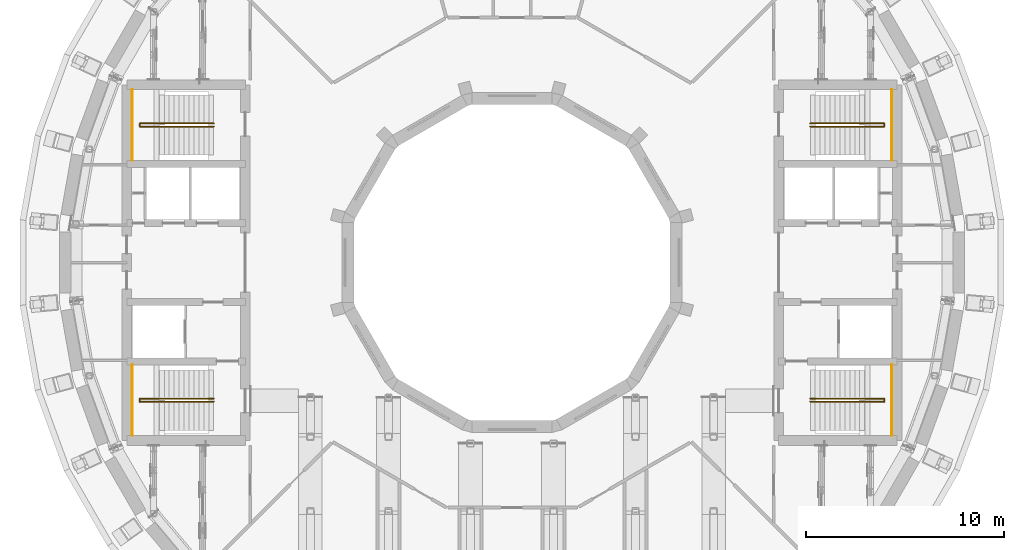
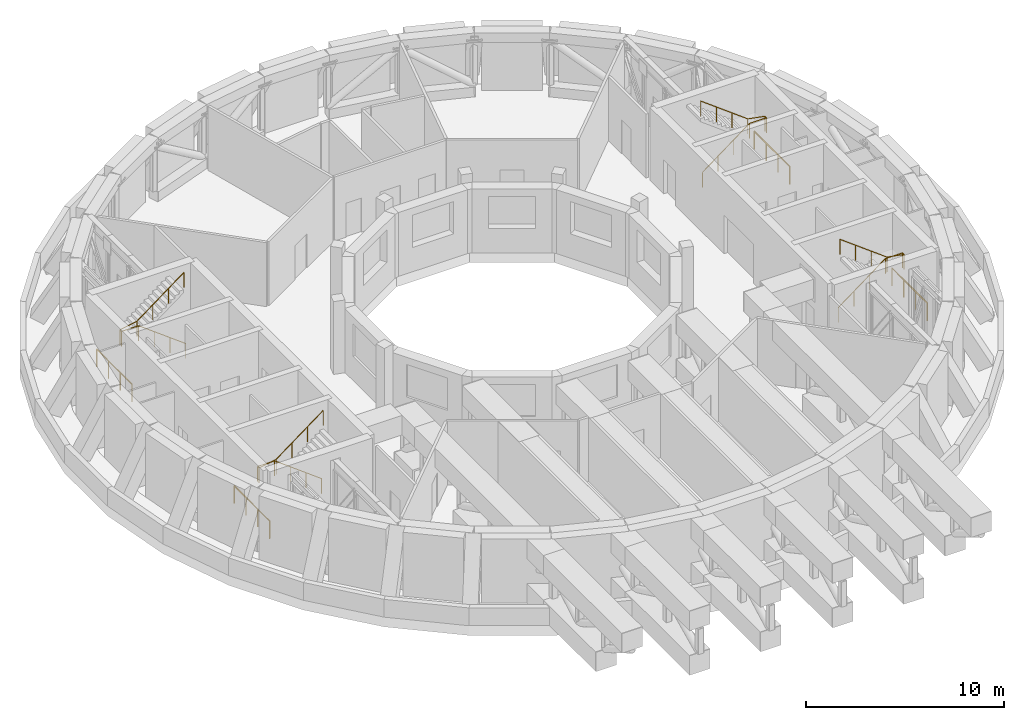
# One storey, part 20 of 20: 8 railings.
"""IFC4 building model written with IfcOpenShell, lengths in metres."""

from ifc_helpers import new_model, si_unit, direction, frame, origin, origin_2d, place, context, subcontext, project, spatial, circle, extrude, material, type_object, element, save


model = new_model("IFC4")

# Units and contexts
model_context = context("Model", 3, precision=1e-05, world=origin(), true_north=direction((0.0, 1.0)))
body_context = subcontext(model_context, "Body", "Model", "MODEL_VIEW")
ifc_project = project(units=[si_unit("LENGTHUNIT", "METRE"), si_unit("AREAUNIT", "SQUARE_METRE"), si_unit("VOLUMEUNIT", "CUBIC_METRE"), si_unit("PLANEANGLEUNIT", "RADIAN"), si_unit("MASSUNIT", "GRAM", prefix="KILO")], contexts=[model_context])

# Site, building, storey
site_placement = place(None, origin())
site = spatial("IfcSite", under=ifc_project, at=site_placement, CompositionType="ELEMENT")
building_placement = place(site_placement, origin())
building = spatial("IfcBuilding", under=site, at=building_placement, Name="Saqina Gate Tower", CompositionType="ELEMENT")
storey_placement = place(building_placement, frame((0.0, 0.0, 220.199951171875)))
storey = spatial("IfcBuildingStorey", under=building, at=storey_placement, Name="L63", CompositionType="ELEMENT", Elevation=220.199951171875)

# Railings
ifc_material_1 = material(Name="Stainless steel", Category="steel")
railing_type_1 = type_object("IfcRailingType", Name="STAIR GUARD", PredefinedType="GUARDRAIL", material=ifc_material_1)
railing_1_placement = place(storey_placement, frame((19.219970703125, 5.175048828125, 0.0)))
element("IfcRailing", 1, at=railing_1_placement, inside=storey, type_object=railing_type_1, Name="STAIR GUARD", PredefinedType="GUARDRAIL", context=body_context, shape_type="SweptSolid", body=[
    extrude(circle(Radius=0.02392578125, at=origin_2d()), frame((0.0, 0.0, 1.076171875), z_axis=(0.0, 1.0, 0.0), x_axis=(-1.0, 0.0, 0.0)), (0.0, 0.0, 1.0), 3.574951171875),
    extrude(circle(Radius=0.02099609375, at=origin_2d()), origin(), (0.0, 0.0, 1.0), 1.052001953125),
    extrude(circle(Radius=0.02099609375, at=origin_2d()), frame((0.0, 1.191650390625, 0.0)), (0.0, 0.0, 1.0), 1.052001953125),
    extrude(circle(Radius=0.02099609375, at=origin_2d()), frame((0.0, 2.38330078125, 0.0)), (0.0, 0.0, 1.0), 1.052001953125),
    extrude(circle(Radius=0.02099609375, at=origin_2d()), frame((0.0, 3.574951171875, 0.0)), (0.0, 0.0, 1.0), 1.052001953125),
])
railing_2_placement = place(storey_placement, frame((19.219970703125, -5.175048828125, 0.0)))
element("IfcRailing", 2, at=railing_2_placement, inside=storey, type_object=railing_type_1, Name="STAIR GUARD", PredefinedType="GUARDRAIL", context=body_context, shape_type="SweptSolid", body=[
    extrude(circle(Radius=0.02392578125, at=origin_2d()), frame((0.0, 0.0, 1.076171875), z_axis=(0.0, -1.0, 0.0), x_axis=(1.0, 0.0, 0.0)), (0.0, 0.0, 1.0), 3.574951171875),
    extrude(circle(Radius=0.02099609375, at=origin_2d()), origin(), (0.0, 0.0, 1.0), 1.052001953125),
    extrude(circle(Radius=0.02099609375, at=origin_2d()), frame((0.0, -1.191650390625, 0.0)), (0.0, 0.0, 1.0), 1.052001953125),
    extrude(circle(Radius=0.02099609375, at=origin_2d()), frame((0.0, -2.38330078125, 0.0)), (0.0, 0.0, 1.0), 1.052001953125),
    extrude(circle(Radius=0.02099609375, at=origin_2d()), frame((0.0, -3.574951171875, 0.0)), (0.0, 0.0, 1.0), 1.052001953125),
])
railing_3_placement = place(storey_placement, frame((-19.219970703125, 5.175048828125, 0.0)))
element("IfcRailing", 3, at=railing_3_placement, inside=storey, type_object=railing_type_1, Name="STAIR GUARD", PredefinedType="GUARDRAIL", context=body_context, shape_type="SweptSolid", body=[
    extrude(circle(Radius=0.02392578125, at=origin_2d()), frame((0.0, 0.0, 1.076171875), z_axis=(0.0, 1.0, 0.0), x_axis=(-1.0, 0.0, 0.0)), (0.0, 0.0, 1.0), 3.574951171875),
    extrude(circle(Radius=0.02099609375, at=origin_2d()), origin(), (0.0, 0.0, 1.0), 1.052001953125),
    extrude(circle(Radius=0.02099609375, at=origin_2d()), frame((0.0, 1.191650390625, 0.0)), (0.0, 0.0, 1.0), 1.052001953125),
    extrude(circle(Radius=0.02099609375, at=origin_2d()), frame((0.0, 2.38330078125, 0.0)), (0.0, 0.0, 1.0), 1.052001953125),
    extrude(circle(Radius=0.02099609375, at=origin_2d()), frame((0.0, 3.574951171875, 0.0)), (0.0, 0.0, 1.0), 1.052001953125),
])
railing_4_placement = place(storey_placement, frame((-19.219970703125, -5.175048828125, 0.0)))
element("IfcRailing", 4, at=railing_4_placement, inside=storey, type_object=railing_type_1, Name="STAIR GUARD", PredefinedType="GUARDRAIL", context=body_context, shape_type="SweptSolid", body=[
    extrude(circle(Radius=0.02392578125, at=origin_2d()), frame((0.0, 0.0, 1.076171875), z_axis=(0.0, -1.0, 0.0), x_axis=(1.0, 0.0, 0.0)), (0.0, 0.0, 1.0), 3.574951171875),
    extrude(circle(Radius=0.02099609375, at=origin_2d()), origin(), (0.0, 0.0, 1.0), 1.052001953125),
    extrude(circle(Radius=0.02099609375, at=origin_2d()), frame((0.0, -1.191650390625, 0.0)), (0.0, 0.0, 1.0), 1.052001953125),
    extrude(circle(Radius=0.02099609375, at=origin_2d()), frame((0.0, -2.38330078125, 0.0)), (0.0, 0.0, 1.0), 1.052001953125),
    extrude(circle(Radius=0.02099609375, at=origin_2d()), frame((0.0, -3.574951171875, 0.0)), (0.0, 0.0, 1.0), 1.052001953125),
])
ifc_material_2 = material(Name="Stainless steel", Category="steel")
railing_type_2 = type_object("IfcRailingType", Name="STAIR HANDRAIL", PredefinedType="HANDRAIL", material=ifc_material_2)
railing_5_placement = place(storey_placement, frame((15.10009765625, 6.88330078125, 0.1875)))
element("IfcRailing", 5, at=railing_5_placement, inside=storey, type_object=railing_type_2, Name="EXIT STAIR 1 HANDRAIL", PredefinedType="HANDRAIL", context=body_context, shape_type="SweptSolid", body=[
    extrude(circle(Radius=0.02392578125, at=origin_2d()), frame((0.0, 0.0, 0.92578125), z_axis=(0.8, 0.0, 0.6), x_axis=(0.0, 1.0, 0.0)), (0.0, 0.0, 1.0), 3.4375),
    extrude(circle(Radius=0.02392578125, at=origin_2d()), frame((2.75, 0.0, 2.98828125), z_axis=(1.0, 0.0, 0.0), x_axis=(0.0, 1.0, 0.0)), (0.0, 0.0, 1.0), 1.0),
    extrude(circle(Radius=0.02392578125, at=origin_2d()), frame((3.75, 0.0, 2.98828125), z_axis=(0.0, 1.0, 0.0), x_axis=(-1.0, 0.0, 0.0)), (0.0, 0.0, 1.0), 0.158447265625),
    extrude(circle(Radius=0.02392578125, at=origin_2d()), frame((3.75, 0.158447265625, 2.98828125), z_axis=(-0.982872186934, 0.0, 0.18428853505), x_axis=(0.0, -1.0, 0.0)), (0.0, 0.0, 1.0), 1.017333984375),
    extrude(circle(Radius=0.02392578125, at=origin_2d()), frame((2.75, 0.158447265625, 3.17578125), z_axis=(-0.8, 0.0, 0.6), x_axis=(0.0, -1.0, 0.0)), (0.0, 0.0, 1.0), 3.4375),
    extrude(circle(Radius=0.02099609375, at=origin_2d()), origin(), (0.0, 0.0, 1.0), 0.90185546875),
    extrude(circle(Radius=0.02099609375, at=origin_2d()), frame((0.916748046875, 0.0, 0.6875)), (0.0, 0.0, 1.0), 0.90185546875),
    extrude(circle(Radius=0.02099609375, at=origin_2d()), frame((1.833251953125, 0.0, 1.375)), (0.0, 0.0, 1.0), 0.90185546875),
    extrude(circle(Radius=0.02099609375, at=origin_2d()), frame((2.75, 0.0, 2.0625)), (0.0, 0.0, 1.0), 0.90185546875),
    extrude(circle(Radius=0.02099609375, at=origin_2d()), frame((3.75, 0.0, 2.0625)), (0.0, 0.0, 1.0), 0.90185546875),
    extrude(circle(Radius=0.02099609375, at=origin_2d()), frame((3.75, 0.158447265625, 2.0625)), (0.0, 0.0, 1.0), 0.90185546875),
    extrude(circle(Radius=0.02099609375, at=origin_2d()), frame((2.75, 0.158447265625, 2.25)), (0.0, 0.0, 1.0), 0.90185546875),
    extrude(circle(Radius=0.02099609375, at=origin_2d()), frame((1.833251953125, 0.158447265625, 2.9375)), (0.0, 0.0, 1.0), 0.90185546875),
    extrude(circle(Radius=0.02099609375, at=origin_2d()), frame((0.916748046875, 0.158447265625, 3.625)), (0.0, 0.0, 1.0), 0.90185546875),
    extrude(circle(Radius=0.02099609375, at=origin_2d()), frame((0.0, 0.158447265625, 4.3125)), (0.0, 0.0, 1.0), 0.90185546875),
])
railing_6_placement = place(storey_placement, frame((15.10009765625, -6.88330078125, 0.1875)))
element("IfcRailing", 6, at=railing_6_placement, inside=storey, type_object=railing_type_2, Name="EXIT STAIR 2 HANDRAIL", PredefinedType="HANDRAIL", context=body_context, shape_type="SweptSolid", body=[
    extrude(circle(Radius=0.02392578125, at=origin_2d()), frame((0.0, 0.0, 0.92578125), z_axis=(0.8, 0.0, 0.6), x_axis=(0.0, 1.0, 0.0)), (0.0, 0.0, 1.0), 3.4375),
    extrude(circle(Radius=0.02392578125, at=origin_2d()), frame((2.75, 0.0, 2.98828125), z_axis=(1.0, 0.0, 0.0), x_axis=(0.0, 1.0, 0.0)), (0.0, 0.0, 1.0), 1.0),
    extrude(circle(Radius=0.02392578125, at=origin_2d()), frame((3.75, 0.0, 2.98828125), z_axis=(0.0, -1.0, 0.0), x_axis=(1.0, 0.0, 0.0)), (0.0, 0.0, 1.0), 0.158447265625),
    extrude(circle(Radius=0.02392578125, at=origin_2d()), frame((3.75, -0.158447265625, 2.98828125), z_axis=(-0.982872186934, 0.0, 0.18428853505), x_axis=(0.0, -1.0, 0.0)), (0.0, 0.0, 1.0), 1.017333984375),
    extrude(circle(Radius=0.02392578125, at=origin_2d()), frame((2.75, -0.158447265625, 3.17578125), z_axis=(-0.8, 0.0, 0.6), x_axis=(0.0, -1.0, 0.0)), (0.0, 0.0, 1.0), 3.4375),
    extrude(circle(Radius=0.02099609375, at=origin_2d()), origin(), (0.0, 0.0, 1.0), 0.90185546875),
    extrude(circle(Radius=0.02099609375, at=origin_2d()), frame((0.916748046875, 0.0, 0.6875)), (0.0, 0.0, 1.0), 0.90185546875),
    extrude(circle(Radius=0.02099609375, at=origin_2d()), frame((1.833251953125, 0.0, 1.375)), (0.0, 0.0, 1.0), 0.90185546875),
    extrude(circle(Radius=0.02099609375, at=origin_2d()), frame((2.75, 0.0, 2.0625)), (0.0, 0.0, 1.0), 0.90185546875),
    extrude(circle(Radius=0.02099609375, at=origin_2d()), frame((3.75, 0.0, 2.0625)), (0.0, 0.0, 1.0), 0.90185546875),
    extrude(circle(Radius=0.02099609375, at=origin_2d()), frame((3.75, -0.158447265625, 2.0625)), (0.0, 0.0, 1.0), 0.90185546875),
    extrude(circle(Radius=0.02099609375, at=origin_2d()), frame((2.75, -0.158447265625, 2.25)), (0.0, 0.0, 1.0), 0.90185546875),
    extrude(circle(Radius=0.02099609375, at=origin_2d()), frame((1.833251953125, -0.158447265625, 2.9375)), (0.0, 0.0, 1.0), 0.90185546875),
    extrude(circle(Radius=0.02099609375, at=origin_2d()), frame((0.916748046875, -0.158447265625, 3.625)), (0.0, 0.0, 1.0), 0.90185546875),
    extrude(circle(Radius=0.02099609375, at=origin_2d()), frame((0.0, -0.158447265625, 4.3125)), (0.0, 0.0, 1.0), 0.90185546875),
])
railing_7_placement = place(storey_placement, frame((-15.10009765625, 6.88330078125, 0.1875)))
element("IfcRailing", 7, at=railing_7_placement, inside=storey, type_object=railing_type_2, Name="EXIT STAIR 3 HANDRAIL", PredefinedType="HANDRAIL", context=body_context, shape_type="SweptSolid", body=[
    extrude(circle(Radius=0.02392578125, at=origin_2d()), frame((0.0, 0.0, 0.92578125), z_axis=(-0.8, 0.0, 0.6), x_axis=(0.0, -1.0, 0.0)), (0.0, 0.0, 1.0), 3.4375),
    extrude(circle(Radius=0.02392578125, at=origin_2d()), frame((-2.75, 0.0, 2.98828125), z_axis=(-1.0, 0.0, 0.0), x_axis=(0.0, -1.0, 0.0)), (0.0, 0.0, 1.0), 1.0),
    extrude(circle(Radius=0.02392578125, at=origin_2d()), frame((-3.75, 0.0, 2.98828125), z_axis=(0.0, 1.0, 0.0), x_axis=(-1.0, 0.0, 0.0)), (0.0, 0.0, 1.0), 0.158447265625),
    extrude(circle(Radius=0.02392578125, at=origin_2d()), frame((-3.75, 0.158447265625, 2.98828125), z_axis=(0.982872186934, 0.0, 0.18428853505), x_axis=(0.0, 1.0, 0.0)), (0.0, 0.0, 1.0), 1.017333984375),
    extrude(circle(Radius=0.02392578125, at=origin_2d()), frame((-2.75, 0.158447265625, 3.17578125), z_axis=(0.8, 0.0, 0.6), x_axis=(0.0, 1.0, 0.0)), (0.0, 0.0, 1.0), 3.4375),
    extrude(circle(Radius=0.02099609375, at=origin_2d()), origin(), (0.0, 0.0, 1.0), 0.90185546875),
    extrude(circle(Radius=0.02099609375, at=origin_2d()), frame((-0.916748046875, 0.0, 0.6875)), (0.0, 0.0, 1.0), 0.90185546875),
    extrude(circle(Radius=0.02099609375, at=origin_2d()), frame((-1.833251953125, 0.0, 1.375)), (0.0, 0.0, 1.0), 0.90185546875),
    extrude(circle(Radius=0.02099609375, at=origin_2d()), frame((-2.75, 0.0, 2.0625)), (0.0, 0.0, 1.0), 0.90185546875),
    extrude(circle(Radius=0.02099609375, at=origin_2d()), frame((-3.75, 0.0, 2.0625)), (0.0, 0.0, 1.0), 0.90185546875),
    extrude(circle(Radius=0.02099609375, at=origin_2d()), frame((-3.75, 0.158447265625, 2.0625)), (0.0, 0.0, 1.0), 0.90185546875),
    extrude(circle(Radius=0.02099609375, at=origin_2d()), frame((-2.75, 0.158447265625, 2.25)), (0.0, 0.0, 1.0), 0.90185546875),
    extrude(circle(Radius=0.02099609375, at=origin_2d()), frame((-1.833251953125, 0.158447265625, 2.9375)), (0.0, 0.0, 1.0), 0.90185546875),
    extrude(circle(Radius=0.02099609375, at=origin_2d()), frame((-0.916748046875, 0.158447265625, 3.625)), (0.0, 0.0, 1.0), 0.90185546875),
    extrude(circle(Radius=0.02099609375, at=origin_2d()), frame((0.0, 0.158447265625, 4.3125)), (0.0, 0.0, 1.0), 0.90185546875),
])
railing_8_placement = place(storey_placement, frame((-15.10009765625, -6.88330078125, 0.1875)))
element("IfcRailing", 8, at=railing_8_placement, inside=storey, type_object=railing_type_2, Name="EXIT STAIR 4 HANDRAIL", PredefinedType="HANDRAIL", context=body_context, shape_type="SweptSolid", body=[
    extrude(circle(Radius=0.02392578125, at=origin_2d()), frame((0.0, 0.0, 0.92578125), z_axis=(-0.8, 0.0, 0.6), x_axis=(0.0, -1.0, 0.0)), (0.0, 0.0, 1.0), 3.4375),
    extrude(circle(Radius=0.02392578125, at=origin_2d()), frame((-2.75, 0.0, 2.98828125), z_axis=(-1.0, 0.0, 0.0), x_axis=(0.0, -1.0, 0.0)), (0.0, 0.0, 1.0), 1.0),
    extrude(circle(Radius=0.02392578125, at=origin_2d()), frame((-3.75, 0.0, 2.98828125), z_axis=(0.0, -1.0, 0.0), x_axis=(1.0, 0.0, 0.0)), (0.0, 0.0, 1.0), 0.158447265625),
    extrude(circle(Radius=0.02392578125, at=origin_2d()), frame((-3.75, -0.158447265625, 2.98828125), z_axis=(0.982872186934, 0.0, 0.18428853505), x_axis=(0.0, 1.0, 0.0)), (0.0, 0.0, 1.0), 1.017333984375),
    extrude(circle(Radius=0.02392578125, at=origin_2d()), frame((-2.75, -0.158447265625, 3.17578125), z_axis=(0.8, 0.0, 0.6), x_axis=(0.0, 1.0, 0.0)), (0.0, 0.0, 1.0), 3.4375),
    extrude(circle(Radius=0.02099609375, at=origin_2d()), origin(), (0.0, 0.0, 1.0), 0.90185546875),
    extrude(circle(Radius=0.02099609375, at=origin_2d()), frame((-0.916748046875, 0.0, 0.6875)), (0.0, 0.0, 1.0), 0.90185546875),
    extrude(circle(Radius=0.02099609375, at=origin_2d()), frame((-1.833251953125, 0.0, 1.375)), (0.0, 0.0, 1.0), 0.90185546875),
    extrude(circle(Radius=0.02099609375, at=origin_2d()), frame((-2.75, 0.0, 2.0625)), (0.0, 0.0, 1.0), 0.90185546875),
    extrude(circle(Radius=0.02099609375, at=origin_2d()), frame((-3.75, 0.0, 2.0625)), (0.0, 0.0, 1.0), 0.90185546875),
    extrude(circle(Radius=0.02099609375, at=origin_2d()), frame((-3.75, -0.158447265625, 2.0625)), (0.0, 0.0, 1.0), 0.90185546875),
    extrude(circle(Radius=0.02099609375, at=origin_2d()), frame((-2.75, -0.158447265625, 2.25)), (0.0, 0.0, 1.0), 0.90185546875),
    extrude(circle(Radius=0.02099609375, at=origin_2d()), frame((-1.833251953125, -0.158447265625, 2.9375)), (0.0, 0.0, 1.0), 0.90185546875),
    extrude(circle(Radius=0.02099609375, at=origin_2d()), frame((-0.916748046875, -0.158447265625, 3.625)), (0.0, 0.0, 1.0), 0.90185546875),
    extrude(circle(Radius=0.02099609375, at=origin_2d()), frame((0.0, -0.158447265625, 4.3125)), (0.0, 0.0, 1.0), 0.90185546875),
])

save(model, "model.ifc")
